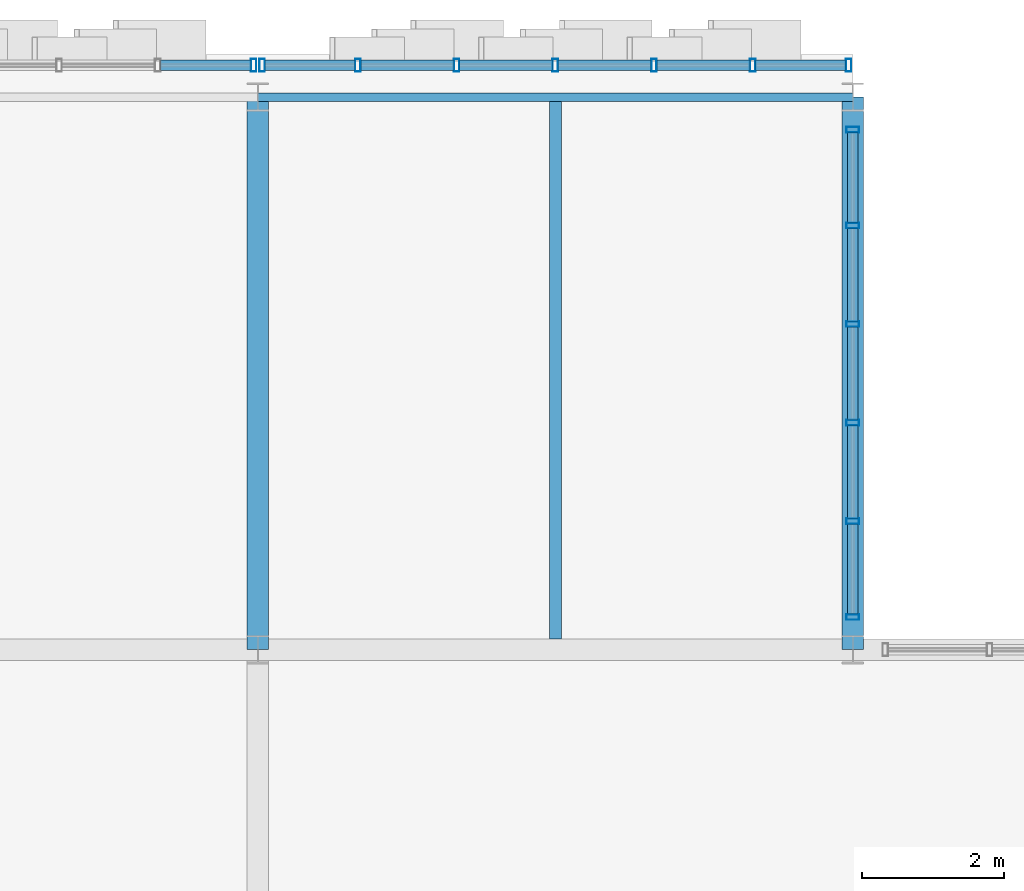
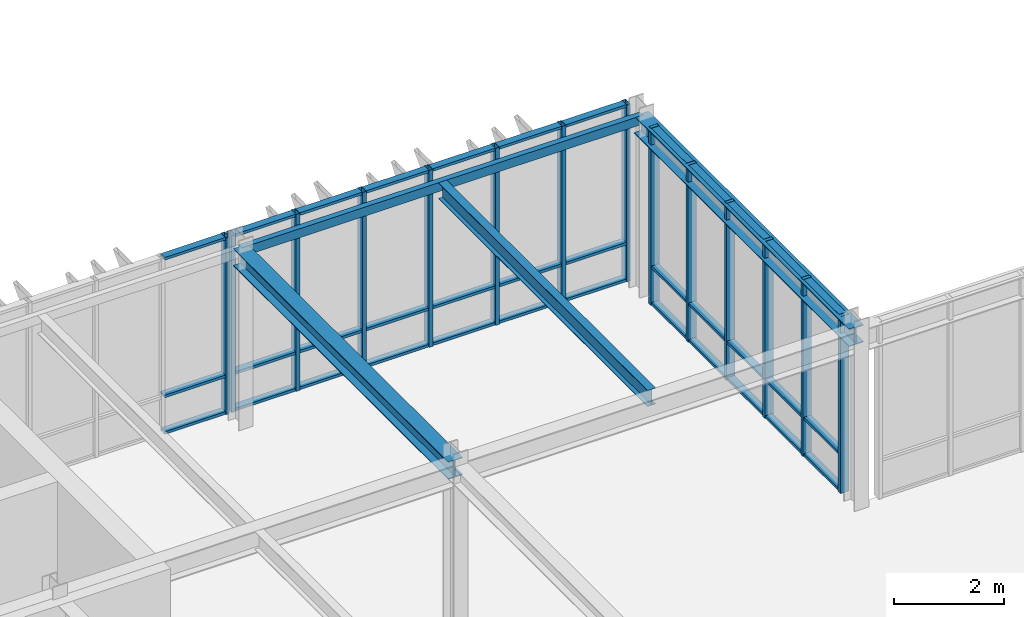
# One storey, part 47 of 127: 50 members, 4 beams, 3 elements without a shape of their own.
"""IFC4 building model written with IfcOpenShell, lengths in metres."""

import ifcopenshell
import ifcopenshell.guid

model = None  # the IFC model being written
_history = None  # IfcOwnerHistory: only IFC2X3 demands one
_inside = {}  # id of a spatial element -> (the spatial element, [elements in it])
_under = {}  # id of a project, library or spatial element -> (it, [spatial elements below it])
_declared = {}  # id of a project -> (the project, [libraries it declares])
_typed = {}  # id of a type object -> (the type object, [elements of that type])
_made_of = {}  # id of a material, layer set ... -> (it, [elements and type objects made of it])


def new_model(schema):
    """Start an empty IFC model of exactly this schema.

    Asked for "IFC4X3", IfcOpenShell would pick the latest addendum, in which some entities
    have other attributes; the version numbers below select the first issue.
    IFC2X3 requires an IfcOwnerHistory on every rooted entity: one is made here for all.
    """
    global model, _history
    if schema == "IFC4X3":
        model = ifcopenshell.file(schema_version=(4, 3, 0, 0))
    else:
        model = ifcopenshell.file(schema=schema)
    _inside.clear()
    _under.clear()
    _declared.clear()
    _typed.clear()
    _made_of.clear()
    _history = None
    if model.schema == "IFC2X3":
        org = make("IfcOrganization", Name="unknown")
        user = make(
            "IfcPersonAndOrganization",
            ThePerson=make("IfcPerson", FamilyName="unknown"),
            TheOrganization=org,
        )
        app = make(
            "IfcApplication",
            ApplicationDeveloper=org,
            Version="unknown",
            ApplicationFullName="unknown",
            ApplicationIdentifier="unknown",
        )
        _history = make(
            "IfcOwnerHistory",
            OwningUser=user,
            OwningApplication=app,
            ChangeAction="ADDED",
            CreationDate=0,
        )
    return model


def make(cls, **values):
    """One entity of the class cls with the attributes given. An attribute that is None is left unset."""
    return model.create_entity(
        cls, **{name: value for name, value in values.items() if value is not None}
    )


def rooted(cls, **values):
    """An entity with a GlobalId (a new one), such as an element, a storey or a relation."""
    return make(cls, GlobalId=ifcopenshell.guid.new(), OwnerHistory=_history, **values)


def si_unit(unit_type, name, prefix=None):
    """IfcSIUnit, for example si_unit("LENGTHUNIT", "METRE", prefix="MILLI")."""
    return make("IfcSIUnit", UnitType=unit_type, Prefix=prefix, Name=name)


def assignment(units):
    """IfcUnitAssignment: the units of a project."""
    return None if units is None else make("IfcUnitAssignment", Units=units)


def point(xyz):
    """IfcCartesianPoint."""
    return None if xyz is None else make("IfcCartesianPoint", Coordinates=xyz)


def direction(xyz):
    """IfcDirection."""
    return None if xyz is None else make("IfcDirection", DirectionRatios=xyz)


def frame(location, z_axis=None, x_axis=None):
    """IfcAxis2Placement3D, a coordinate frame: its origin and axes. An axis left out is left unset."""
    return make(
        "IfcAxis2Placement3D",
        Location=point(location),
        Axis=direction(z_axis),
        RefDirection=direction(x_axis),
    )


def frame_2d(location, x_axis=None):
    """IfcAxis2Placement2D, a coordinate frame in the plane: its origin and x axis."""
    return make(
        "IfcAxis2Placement2D", Location=point(location), RefDirection=direction(x_axis)
    )


def origin():
    """The frame at (0, 0, 0) with its axes left unset."""
    return frame((0.0, 0.0, 0.0))


def origin_2d():
    """The frame at (0, 0) in the plane with its x axis left unset."""
    return frame_2d((0.0, 0.0))


def place(relative_to, where):
    """IfcLocalPlacement: puts the frame where relative to a parent placement (None: the world)."""
    return make(
        "IfcLocalPlacement", PlacementRelTo=relative_to, RelativePlacement=where
    )


def context(
    kind, dimensions, precision=None, world=None, true_north=None, identifier=None
):
    """IfcGeometricRepresentationContext, for example the 3D "Model" context."""
    return make(
        "IfcGeometricRepresentationContext",
        ContextIdentifier=identifier,
        ContextType=kind,
        CoordinateSpaceDimension=dimensions,
        Precision=precision,
        WorldCoordinateSystem=world,
        TrueNorth=true_north,
    )


def subcontext(parent, identifier, kind, view, scale=None):
    """IfcGeometricRepresentationSubContext, for example "Body" below "Model"."""
    return make(
        "IfcGeometricRepresentationSubContext",
        ContextIdentifier=identifier,
        ContextType=kind,
        ParentContext=parent,
        TargetScale=scale,
        TargetView=view,
    )


def project(units=None, contexts=None):
    """IfcProject with its units and contexts."""
    return rooted(
        "IfcProject",
        Name="project",
        RepresentationContexts=contexts,
        UnitsInContext=assignment(units),
    )


def spatial(cls, under=None, at=None, **own):
    """A site, building, storey or space (cls), placed at a placement, below another one or the project."""
    s = rooted(cls, ObjectPlacement=at, **own)
    if under is not None:
        _under.setdefault(under.id(), (under, []))[1].append(s)
    return s


def profile(cls, at=None, kind="AREA", **sizes):
    """A parametric profile (cls). Its sizes go by their IFC names, for example OverallWidth=200.0."""
    return make(cls, ProfileType=kind, Position=at, **sizes)


def hollow_rectangle(**sizes):
    """IfcRectangleHollowProfileDef."""
    return profile("IfcRectangleHollowProfileDef", **sizes)


def i_section(**sizes):
    """IfcIShapeProfileDef."""
    return profile("IfcIShapeProfileDef", **sizes)


def extrude(swept, where, along, depth):
    """IfcExtrudedAreaSolid: the profile swept, set in the frame where, extruded along a direction by depth."""
    return make(
        "IfcExtrudedAreaSolid",
        SweptArea=swept,
        Position=where,
        ExtrudedDirection=direction(along),
        Depth=depth,
    )


def shape(context_of_items, identifier, shape_type, items):
    """IfcShapeRepresentation: the items that make up one representation, for example the "Body"."""
    return make(
        "IfcShapeRepresentation",
        ContextOfItems=context_of_items,
        RepresentationIdentifier=identifier,
        RepresentationType=shape_type,
        Items=items,
    )


def material(Name=None, Category=None):
    """IfcMaterial."""
    return make("IfcMaterial", Name=Name, Category=Category)


def layer(
    of_material, thickness, ventilated=None, Name=None, Category=None, Priority=None
):
    """IfcMaterialLayer: one layer of a wall or slab, of a material (None: an air gap)."""
    return make(
        "IfcMaterialLayer",
        Material=of_material,
        LayerThickness=thickness,
        IsVentilated=ventilated,
        Name=Name,
        Category=Category,
        Priority=Priority,
    )


def layer_set(layers, Name=None):
    """IfcMaterialLayerSet."""
    return make("IfcMaterialLayerSet", MaterialLayers=layers, LayerSetName=Name)


def material_profile(
    of_material, cross_section, Name=None, Category=None, Priority=None
):
    """IfcMaterialProfile: a cross section and its material."""
    return make(
        "IfcMaterialProfile",
        Name=Name,
        Material=of_material,
        Profile=cross_section,
        Priority=Priority,
        Category=Category,
    )


def profile_set(profiles, Name=None, composite=None):
    """IfcMaterialProfileSet."""
    return make(
        "IfcMaterialProfileSet",
        Name=Name,
        MaterialProfiles=profiles,
        CompositeProfile=composite,
    )


def made_of(thing, what):
    """Note that an element or type object is made of a material, layer set ...; save() writes the relation."""
    if what is not None:
        _made_of.setdefault(what.id(), (what, []))[1].append(thing)
    return thing


def type_object(cls, material=None, **own):
    """A type object (cls), such as IfcWallType, which elements share."""
    return made_of(rooted(cls, **own), material)


def element(
    cls,
    number,
    at=None,
    inside=None,
    cuts=None,
    type_object=None,
    material=None,
    context=None,
    identifier="Body",
    shape_type=None,
    held_by="IfcProductDefinitionShape",
    body=None,
    shapes=None,
    **own,
):
    """One element of the class cls, such as IfcWall. Its Tag is "e" and its number.

    at: its placement. inside: the storey or other place that contains it. cuts: it is an
    opening in that element (IfcRelVoidsElement). A single representation is given by context,
    identifier, shape_type and body (its items); several are given by shapes. held_by: the class
    of the entity that holds the representations. save() writes the other relations.
    """
    e = rooted(cls, Tag="e%d" % number, ObjectPlacement=at, **own)
    if body is not None:
        shapes = [shape(context, identifier, shape_type, body)]
    if shapes is not None:
        e.Representation = make(held_by, Representations=shapes)
    if inside is not None:
        _inside.setdefault(inside.id(), (inside, []))[1].append(e)
    if cuts is not None:
        rooted(
            "IfcRelVoidsElement", RelatingBuildingElement=cuts, RelatedOpeningElement=e
        )
    if type_object is not None:
        _typed.setdefault(type_object.id(), (type_object, []))[1].append(e)
    return made_of(e, material)


def aggregate(whole, parts):
    """IfcRelAggregates: a whole, such as a stair, and the parts it consists of."""
    return rooted("IfcRelAggregates", RelatingObject=whole, RelatedObjects=parts)


def save(model, path):
    """Write the relations noted so far, then the file.

    IfcRelAggregates (storeys below a building ...), IfcRelContainedInSpatialStructure (elements
    in a storey), IfcRelDefinesByType, IfcRelAssociatesMaterial and IfcRelDeclares: one each for
    every whole, place, type object, material and project.
    """
    for whole, parts in _under.values():
        aggregate(whole, parts)
    for where, things in _inside.values():
        rooted(
            "IfcRelContainedInSpatialStructure",
            RelatedElements=things,
            RelatingStructure=where,
        )
    for kind, things in _typed.values():
        rooted("IfcRelDefinesByType", RelatedObjects=things, RelatingType=kind)
    for what, things in _made_of.values():
        rooted("IfcRelAssociatesMaterial", RelatedObjects=things, RelatingMaterial=what)
    for by, libraries in _declared.values():
        rooted("IfcRelDeclares", RelatingContext=by, RelatedDefinitions=libraries)
    model.write(path)


model = new_model("IFC4")

# Units and contexts
model_context = context("Model", 3, precision=1e-05, world=origin(), true_north=direction((0.0, 1.0)))
body_context = subcontext(model_context, "Body", "Model", "MODEL_VIEW")
ifc_project = project(units=[si_unit("LENGTHUNIT", "METRE"), si_unit("AREAUNIT", "SQUARE_METRE"), si_unit("VOLUMEUNIT", "CUBIC_METRE"), si_unit("PLANEANGLEUNIT", "RADIAN"), si_unit("MASSUNIT", "GRAM", prefix="KILO")], contexts=[model_context])

# Site, building, storey
site_placement = place(None, origin())
site = spatial("IfcSite", under=ifc_project, at=site_placement, CompositionType="ELEMENT")
building_placement = place(site_placement, origin())
building = spatial("IfcBuilding", under=site, at=building_placement, Name="Zayran Congress Hotel", CompositionType="ELEMENT")
storey_placement = place(building_placement, frame((0.0, 0.0, 10.800048828125)))
storey = spatial("IfcBuildingStorey", under=building, at=storey_placement, Name="L02", CompositionType="ELEMENT", Elevation=10.800048828125)

# Beams
ifc_material_1 = material(Name="Steel S355", Category="steel")
ifc_material_profile_1 = material_profile(ifc_material_1, i_section(OverallWidth=0.300048828125, OverallDepth=0.389892578125, WebThickness=0.010986328125, FlangeThickness=0.01904296875, at=origin_2d()), Name="HEA 400")
ifc_profile_set_1 = profile_set([ifc_material_profile_1], Name="Steel S355")
beam_type_1 = type_object("IfcBeamType", Name="TP-BM-06", PredefinedType="BEAM", material=ifc_profile_set_1)
for number, where, z_axis, x_axis, name in (
    (1, (25.199951171875, 109.60009765625, 3.724853515625), (0.0, 1.0, 0.0), (-1.0, 0.0, 0.0), "BM-V1-L02-0725"),
    (2, (33.60009765625, 109.60009765625, 3.724853515625), (0.0, 1.0, 0.0), (-1.0, 0.0, 0.0), "BM-V1-L02-0728"),
):
    element("IfcBeam", number, at=place(storey_placement, frame(where, z_axis=z_axis, x_axis=x_axis)), inside=storey, type_object=beam_type_1, Name=name, PredefinedType="BEAM", context=body_context, shape_type="SweptSolid", body=[
        extrude(i_section(OverallWidth=0.300048828125, OverallDepth=0.389892578125, WebThickness=0.010986328125, FlangeThickness=0.01904296875, at=origin_2d()), origin(), (0.0, 0.0, 1.0), 7.7998046875),
    ])
ifc_material_profile_2 = material_profile(ifc_material_1, i_section(OverallWidth=0.169921875, OverallDepth=0.360107421875, WebThickness=0.008056640625, FlangeThickness=0.0126953125, at=origin_2d()), Name="IPE 360")
ifc_profile_set_2 = profile_set([ifc_material_profile_2], Name="Steel S355")
beam_type_2 = type_object("IfcBeamType", Name="TP-JS-04", PredefinedType="JOIST", material=ifc_profile_set_2)
beam_1_placement = place(storey_placement, frame((29.39990234375, 109.75, 3.739990234375), z_axis=(0.0, 1.0, 0.0), x_axis=(-1.0, 0.0, 0.0)))
element("IfcBeam", 3, at=beam_1_placement, inside=storey, type_object=beam_type_2, Name="JST-V1-L02-0767", PredefinedType="JOIST", context=body_context, shape_type="SweptSolid", body=[
    extrude(i_section(OverallWidth=0.169921875, OverallDepth=0.360107421875, WebThickness=0.008056640625, FlangeThickness=0.0126953125, at=origin_2d()), origin(), (0.0, 0.0, 1.0), 7.590087890625),
])
ifc_material_profile_3 = material_profile(ifc_material_1, hollow_rectangle(XDim=0.1201171875, YDim=0.199951171875, WallThickness=0.008056640625, at=origin_2d()), Name="RHS 200x120x8")
ifc_profile_set_3 = profile_set([ifc_material_profile_3], Name="Steel S355")
beam_type_3 = type_object("IfcBeamType", Name="TP-SP-02", PredefinedType="SPANDREL", material=ifc_profile_set_3)
beam_2_placement = place(storey_placement, frame((25.199951171875, 117.39990234375, 3.820068359375), z_axis=(1.0, 0.0, 0.0), x_axis=(0.0, 1.0, 0.0)))
element("IfcBeam", 4, at=beam_2_placement, inside=storey, type_object=beam_type_3, Name="BM-V1-L02-0702", PredefinedType="SPANDREL", context=body_context, shape_type="SweptSolid", body=[
    extrude(hollow_rectangle(XDim=0.1201171875, YDim=0.199951171875, WallThickness=0.008056640625, at=origin_2d()), origin(), (0.0, 0.0, 1.0), 8.400146484375),
])

# Curtain wall, member
ifc_material_2 = material(Name="Anodised aluminium and low-E insulated glass", Category="aluminium")
ifc_layer_1 = layer(ifc_material_2, 0.179931640625)
ifc_layer_set_1 = layer_set([ifc_layer_1], Name="Anodised aluminium and low-E insulated glass")
curtain_wall_type_1 = type_object("IfcCurtainWallType", Name="CW-V1N-L02-CW-22-8360-3920", PredefinedType="USERDEFINED", material=ifc_layer_set_1)
curtain_wall_1_placement = place(storey_placement, origin())
curtain_wall_1 = element("IfcCurtainWall", 5, at=curtain_wall_1_placement, inside=storey, type_object=curtain_wall_type_1, Name="CW-V1N-L02-1", ObjectType="CURTAIN WALL", PredefinedType="USERDEFINED")
ifc_material_3 = material(Name="Anodised aluminium framing", Category="aluminium")
ifc_material_profile_4 = material_profile(ifc_material_3, hollow_rectangle(XDim=0.080078125, YDim=0.179931640625, WallThickness=0.0048828125, at=origin_2d()), Name="RHS 180x80x5")
ifc_profile_set_4 = profile_set([ifc_material_profile_4], Name="Anodised aluminium framing")
member_type_1 = type_object("IfcMemberType", Name="TP-CWM-01", PredefinedType="MULLION", material=ifc_profile_set_4)
member_1_placement = place(storey_placement, frame((25.139892578125, 117.85009765625, 0.0), z_axis=(0.0, 0.0, 1.0), x_axis=(1.0, 0.0, 0.0)))
member_1 = element("IfcMember", 6, at=member_1_placement, type_object=member_type_1, Name="CW-V1N-L02-1-M00", PredefinedType="MULLION", context=body_context, shape_type="SweptSolid", body=[
    extrude(hollow_rectangle(XDim=0.080078125, YDim=0.179931640625, WallThickness=0.0048828125, at=origin_2d()), origin(), (0.0, 0.0, 1.0), 3.919921875),
])

# Curtain wall, members
ifc_layer_2 = layer(ifc_material_2, 0.179931640625)
ifc_layer_set_2 = layer_set([ifc_layer_2], Name="Anodised aluminium and low-E insulated glass")
curtain_wall_type_2 = type_object("IfcCurtainWallType", Name="CW-V1N-L02-CW-23-8360-3920", PredefinedType="USERDEFINED", material=ifc_layer_set_2)
curtain_wall_2_placement = place(storey_placement, origin())
curtain_wall_2 = element("IfcCurtainWall", 7, at=curtain_wall_2_placement, inside=storey, type_object=curtain_wall_type_2, Name="CW-V1N-L02-2", ObjectType="CURTAIN WALL", PredefinedType="USERDEFINED")
member_2_placement = place(storey_placement, frame((33.5400390625, 117.85009765625, 0.0), z_axis=(0.0, 0.0, 1.0), x_axis=(1.0, 0.0, 0.0)))
member_2 = element("IfcMember", 8, at=member_2_placement, type_object=member_type_1, Name="CW-V1N-L02-2-M00", PredefinedType="MULLION", context=body_context, shape_type="SweptSolid", body=[
    extrude(hollow_rectangle(XDim=0.080078125, YDim=0.179931640625, WallThickness=0.0048828125, at=origin_2d()), origin(), (0.0, 0.0, 1.0), 3.919921875),
])
member_3_placement = place(storey_placement, frame((32.186767578125, 117.85009765625, 0.0), z_axis=(0.0, 0.0, 1.0), x_axis=(1.0, 0.0, 0.0)))
member_3 = element("IfcMember", 9, at=member_3_placement, type_object=member_type_1, Name="CW-V1N-L02-2-M01", PredefinedType="MULLION", context=body_context, shape_type="SweptSolid", body=[
    extrude(hollow_rectangle(XDim=0.080078125, YDim=0.179931640625, WallThickness=0.0048828125, at=origin_2d()), origin(), (0.0, 0.0, 1.0), 3.919921875),
])
member_4_placement = place(storey_placement, frame((30.793212890625, 117.85009765625, 0.0), z_axis=(0.0, 0.0, 1.0), x_axis=(1.0, 0.0, 0.0)))
member_4 = element("IfcMember", 10, at=member_4_placement, type_object=member_type_1, Name="CW-V1N-L02-2-M02", PredefinedType="MULLION", context=body_context, shape_type="SweptSolid", body=[
    extrude(hollow_rectangle(XDim=0.080078125, YDim=0.179931640625, WallThickness=0.0048828125, at=origin_2d()), origin(), (0.0, 0.0, 1.0), 3.919921875),
])
member_5_placement = place(storey_placement, frame((29.39990234375, 117.85009765625, 0.0), z_axis=(0.0, 0.0, 1.0), x_axis=(1.0, 0.0, 0.0)))
member_5 = element("IfcMember", 11, at=member_5_placement, type_object=member_type_1, Name="CW-V1N-L02-2-M03", PredefinedType="MULLION", context=body_context, shape_type="SweptSolid", body=[
    extrude(hollow_rectangle(XDim=0.080078125, YDim=0.179931640625, WallThickness=0.0048828125, at=origin_2d()), origin(), (0.0, 0.0, 1.0), 3.919921875),
])
member_6_placement = place(storey_placement, frame((28.006591796875, 117.85009765625, 0.0), z_axis=(0.0, 0.0, 1.0), x_axis=(1.0, 0.0, 0.0)))
member_6 = element("IfcMember", 12, at=member_6_placement, type_object=member_type_1, Name="CW-V1N-L02-2-M04", PredefinedType="MULLION", context=body_context, shape_type="SweptSolid", body=[
    extrude(hollow_rectangle(XDim=0.080078125, YDim=0.179931640625, WallThickness=0.0048828125, at=origin_2d()), origin(), (0.0, 0.0, 1.0), 3.919921875),
])
member_7_placement = place(storey_placement, frame((26.61328125, 117.85009765625, 0.0), z_axis=(0.0, 0.0, 1.0), x_axis=(1.0, 0.0, 0.0)))
member_7 = element("IfcMember", 13, at=member_7_placement, type_object=member_type_1, Name="CW-V1N-L02-2-M05", PredefinedType="MULLION", context=body_context, shape_type="SweptSolid", body=[
    extrude(hollow_rectangle(XDim=0.080078125, YDim=0.179931640625, WallThickness=0.0048828125, at=origin_2d()), origin(), (0.0, 0.0, 1.0), 3.919921875),
])
member_8_placement = place(storey_placement, frame((25.260009765625, 117.85009765625, 0.0), z_axis=(0.0, 0.0, 1.0), x_axis=(1.0, 0.0, 0.0)))
member_8 = element("IfcMember", 14, at=member_8_placement, type_object=member_type_1, Name="CW-V1N-L02-2-M06", PredefinedType="MULLION", context=body_context, shape_type="SweptSolid", body=[
    extrude(hollow_rectangle(XDim=0.080078125, YDim=0.179931640625, WallThickness=0.0048828125, at=origin_2d()), origin(), (0.0, 0.0, 1.0), 3.919921875),
])

ifc_layer_3 = layer(ifc_material_2, 0.179931640625)
ifc_layer_set_3 = layer_set([ifc_layer_3], Name="Anodised aluminium and low-E insulated glass")
curtain_wall_type_3 = type_object("IfcCurtainWallType", Name="CW-V1NW-L02-CW-24-6960-3920", PredefinedType="USERDEFINED", material=ifc_layer_set_3)
curtain_wall_3_placement = place(storey_placement, origin())
curtain_wall_3 = element("IfcCurtainWall", 15, at=curtain_wall_3_placement, inside=storey, type_object=curtain_wall_type_3, Name="CW-V1NW-L02", ObjectType="CURTAIN WALL", PredefinedType="USERDEFINED")
member_9_placement = place(storey_placement, frame((33.60009765625, 110.06005859375, 0.0), z_axis=(0.0, 0.0, 1.0), x_axis=(0.0, 1.0, 0.0)))
member_9 = element("IfcMember", 16, at=member_9_placement, type_object=member_type_1, Name="CW-V1NW-L02-M00", PredefinedType="MULLION", context=body_context, shape_type="SweptSolid", body=[
    extrude(hollow_rectangle(XDim=0.080078125, YDim=0.179931640625, WallThickness=0.0048828125, at=origin_2d()), origin(), (0.0, 0.0, 1.0), 3.919921875),
])
member_10_placement = place(storey_placement, frame((33.60009765625, 111.412109375, 0.0), z_axis=(0.0, 0.0, 1.0), x_axis=(0.0, 1.0, 0.0)))
member_10 = element("IfcMember", 17, at=member_10_placement, type_object=member_type_1, Name="CW-V1NW-L02-M01", PredefinedType="MULLION", context=body_context, shape_type="SweptSolid", body=[
    extrude(hollow_rectangle(XDim=0.080078125, YDim=0.179931640625, WallThickness=0.0048828125, at=origin_2d()), origin(), (0.0, 0.0, 1.0), 3.919921875),
])
member_11_placement = place(storey_placement, frame((33.60009765625, 112.803955078125, 0.0), z_axis=(0.0, 0.0, 1.0), x_axis=(0.0, 1.0, 0.0)))
member_11 = element("IfcMember", 18, at=member_11_placement, type_object=member_type_1, Name="CW-V1NW-L02-M02", PredefinedType="MULLION", context=body_context, shape_type="SweptSolid", body=[
    extrude(hollow_rectangle(XDim=0.080078125, YDim=0.179931640625, WallThickness=0.0048828125, at=origin_2d()), origin(), (0.0, 0.0, 1.0), 3.919921875),
])
member_12_placement = place(storey_placement, frame((33.60009765625, 114.196044921875, 0.0), z_axis=(0.0, 0.0, 1.0), x_axis=(0.0, 1.0, 0.0)))
member_12 = element("IfcMember", 19, at=member_12_placement, type_object=member_type_1, Name="CW-V1NW-L02-M03", PredefinedType="MULLION", context=body_context, shape_type="SweptSolid", body=[
    extrude(hollow_rectangle(XDim=0.080078125, YDim=0.179931640625, WallThickness=0.0048828125, at=origin_2d()), origin(), (0.0, 0.0, 1.0), 3.919921875),
])
member_13_placement = place(storey_placement, frame((33.60009765625, 115.587890625, 0.0), z_axis=(0.0, 0.0, 1.0), x_axis=(0.0, 1.0, 0.0)))
member_13 = element("IfcMember", 20, at=member_13_placement, type_object=member_type_1, Name="CW-V1NW-L02-M04", PredefinedType="MULLION", context=body_context, shape_type="SweptSolid", body=[
    extrude(hollow_rectangle(XDim=0.080078125, YDim=0.179931640625, WallThickness=0.0048828125, at=origin_2d()), origin(), (0.0, 0.0, 1.0), 3.919921875),
])
member_14_placement = place(storey_placement, frame((33.60009765625, 116.93994140625, 0.0), z_axis=(0.0, 0.0, 1.0), x_axis=(0.0, 1.0, 0.0)))
member_14 = element("IfcMember", 21, at=member_14_placement, type_object=member_type_1, Name="CW-V1NW-L02-M05", PredefinedType="MULLION", context=body_context, shape_type="SweptSolid", body=[
    extrude(hollow_rectangle(XDim=0.080078125, YDim=0.179931640625, WallThickness=0.0048828125, at=origin_2d()), origin(), (0.0, 0.0, 1.0), 3.919921875),
])

# Member
ifc_material_profile_5 = material_profile(ifc_material_3, hollow_rectangle(XDim=0.06005859375, YDim=0.14990234375, WallThickness=0.00390625, at=origin_2d()), Name="RHS 150x60x4")
ifc_profile_set_5 = profile_set([ifc_material_profile_5], Name="Anodised aluminium framing")
member_type_2 = type_object("IfcMemberType", Name="TP-CWT-01", PredefinedType="USERDEFINED", material=ifc_profile_set_5)
member_15_placement = place(storey_placement, frame((25.10009765625, 117.85009765625, 0.030029296875), z_axis=(-1.0, 0.0, 0.0), x_axis=(0.0, 0.0, 1.0)))
member_15 = element("IfcMember", 22, at=member_15_placement, type_object=member_type_2, Name="CW-V1N-L02-1-T00-0", ObjectType="TRANSOM", PredefinedType="USERDEFINED", context=body_context, shape_type="SweptSolid", body=[
    extrude(hollow_rectangle(XDim=0.06005859375, YDim=0.14990234375, WallThickness=0.00390625, at=origin_2d()), origin(), (0.0, 0.0, 1.0), 1.2734375),
])

member_16_placement = place(storey_placement, frame((25.10009765625, 117.85009765625, 0.83984375), z_axis=(-1.0, 0.0, 0.0), x_axis=(0.0, 0.0, 1.0)))
member_16 = element("IfcMember", 23, at=member_16_placement, type_object=member_type_2, Name="CW-V1N-L02-1-T00-1", ObjectType="TRANSOM", PredefinedType="USERDEFINED", context=body_context, shape_type="SweptSolid", body=[
    extrude(hollow_rectangle(XDim=0.06005859375, YDim=0.14990234375, WallThickness=0.00390625, at=origin_2d()), origin(), (0.0, 0.0, 1.0), 1.2734375),
])

member_17_placement = place(storey_placement, frame((25.10009765625, 117.85009765625, 3.889892578125), z_axis=(-1.0, 0.0, 0.0), x_axis=(0.0, 0.0, 1.0)))
member_17 = element("IfcMember", 24, at=member_17_placement, type_object=member_type_2, Name="CW-V1N-L02-1-T00-2", ObjectType="TRANSOM", PredefinedType="USERDEFINED", context=body_context, shape_type="SweptSolid", body=[
    extrude(hollow_rectangle(XDim=0.06005859375, YDim=0.14990234375, WallThickness=0.00390625, at=origin_2d()), origin(), (0.0, 0.0, 1.0), 1.2734375),
])

aggregate(curtain_wall_1, [member_1, member_15, member_16, member_17])

member_18_placement = place(storey_placement, frame((33.5, 117.85009765625, 0.030029296875), z_axis=(-1.0, 0.0, 0.0), x_axis=(0.0, 0.0, 1.0)))
member_18 = element("IfcMember", 25, at=member_18_placement, type_object=member_type_2, Name="CW-V1N-L02-2-T00-0", ObjectType="TRANSOM", PredefinedType="USERDEFINED", context=body_context, shape_type="SweptSolid", body=[
    extrude(hollow_rectangle(XDim=0.06005859375, YDim=0.14990234375, WallThickness=0.00390625, at=origin_2d()), origin(), (0.0, 0.0, 1.0), 1.273193359375),
])

member_19_placement = place(storey_placement, frame((33.5, 117.85009765625, 0.83984375), z_axis=(-1.0, 0.0, 0.0), x_axis=(0.0, 0.0, 1.0)))
member_19 = element("IfcMember", 26, at=member_19_placement, type_object=member_type_2, Name="CW-V1N-L02-2-T00-1", ObjectType="TRANSOM", PredefinedType="USERDEFINED", context=body_context, shape_type="SweptSolid", body=[
    extrude(hollow_rectangle(XDim=0.06005859375, YDim=0.14990234375, WallThickness=0.00390625, at=origin_2d()), origin(), (0.0, 0.0, 1.0), 1.273193359375),
])

member_20_placement = place(storey_placement, frame((33.5, 117.85009765625, 3.889892578125), z_axis=(-1.0, 0.0, 0.0), x_axis=(0.0, 0.0, 1.0)))
member_20 = element("IfcMember", 27, at=member_20_placement, type_object=member_type_2, Name="CW-V1N-L02-2-T00-2", ObjectType="TRANSOM", PredefinedType="USERDEFINED", context=body_context, shape_type="SweptSolid", body=[
    extrude(hollow_rectangle(XDim=0.06005859375, YDim=0.14990234375, WallThickness=0.00390625, at=origin_2d()), origin(), (0.0, 0.0, 1.0), 1.273193359375),
])

member_21_placement = place(storey_placement, frame((32.146728515625, 117.85009765625, 0.030029296875), z_axis=(-1.0, 0.0, 0.0), x_axis=(0.0, 0.0, 1.0)))
member_21 = element("IfcMember", 28, at=member_21_placement, type_object=member_type_2, Name="CW-V1N-L02-2-T01-0", ObjectType="TRANSOM", PredefinedType="USERDEFINED", context=body_context, shape_type="SweptSolid", body=[
    extrude(hollow_rectangle(XDim=0.06005859375, YDim=0.14990234375, WallThickness=0.00390625, at=origin_2d()), origin(), (0.0, 0.0, 1.0), 1.3134765625),
])

member_22_placement = place(storey_placement, frame((32.146728515625, 117.85009765625, 0.83984375), z_axis=(-1.0, 0.0, 0.0), x_axis=(0.0, 0.0, 1.0)))
member_22 = element("IfcMember", 29, at=member_22_placement, type_object=member_type_2, Name="CW-V1N-L02-2-T01-1", ObjectType="TRANSOM", PredefinedType="USERDEFINED", context=body_context, shape_type="SweptSolid", body=[
    extrude(hollow_rectangle(XDim=0.06005859375, YDim=0.14990234375, WallThickness=0.00390625, at=origin_2d()), origin(), (0.0, 0.0, 1.0), 1.3134765625),
])

member_23_placement = place(storey_placement, frame((32.146728515625, 117.85009765625, 3.889892578125), z_axis=(-1.0, 0.0, 0.0), x_axis=(0.0, 0.0, 1.0)))
member_23 = element("IfcMember", 30, at=member_23_placement, type_object=member_type_2, Name="CW-V1N-L02-2-T01-2", ObjectType="TRANSOM", PredefinedType="USERDEFINED", context=body_context, shape_type="SweptSolid", body=[
    extrude(hollow_rectangle(XDim=0.06005859375, YDim=0.14990234375, WallThickness=0.00390625, at=origin_2d()), origin(), (0.0, 0.0, 1.0), 1.3134765625),
])

member_24_placement = place(storey_placement, frame((30.75341796875, 117.85009765625, 0.030029296875), z_axis=(-1.0, 0.0, 0.0), x_axis=(0.0, 0.0, 1.0)))
member_24 = element("IfcMember", 31, at=member_24_placement, type_object=member_type_2, Name="CW-V1N-L02-2-T02-0", ObjectType="TRANSOM", PredefinedType="USERDEFINED", context=body_context, shape_type="SweptSolid", body=[
    extrude(hollow_rectangle(XDim=0.06005859375, YDim=0.14990234375, WallThickness=0.00390625, at=origin_2d()), origin(), (0.0, 0.0, 1.0), 1.3134765625),
])

member_25_placement = place(storey_placement, frame((30.75341796875, 117.85009765625, 0.83984375), z_axis=(-1.0, 0.0, 0.0), x_axis=(0.0, 0.0, 1.0)))
member_25 = element("IfcMember", 32, at=member_25_placement, type_object=member_type_2, Name="CW-V1N-L02-2-T02-1", ObjectType="TRANSOM", PredefinedType="USERDEFINED", context=body_context, shape_type="SweptSolid", body=[
    extrude(hollow_rectangle(XDim=0.06005859375, YDim=0.14990234375, WallThickness=0.00390625, at=origin_2d()), origin(), (0.0, 0.0, 1.0), 1.3134765625),
])

member_26_placement = place(storey_placement, frame((30.75341796875, 117.85009765625, 3.889892578125), z_axis=(-1.0, 0.0, 0.0), x_axis=(0.0, 0.0, 1.0)))
member_26 = element("IfcMember", 33, at=member_26_placement, type_object=member_type_2, Name="CW-V1N-L02-2-T02-2", ObjectType="TRANSOM", PredefinedType="USERDEFINED", context=body_context, shape_type="SweptSolid", body=[
    extrude(hollow_rectangle(XDim=0.06005859375, YDim=0.14990234375, WallThickness=0.00390625, at=origin_2d()), origin(), (0.0, 0.0, 1.0), 1.3134765625),
])

member_27_placement = place(storey_placement, frame((29.360107421875, 117.85009765625, 0.030029296875), z_axis=(-1.0, 0.0, 0.0), x_axis=(0.0, 0.0, 1.0)))
member_27 = element("IfcMember", 34, at=member_27_placement, type_object=member_type_2, Name="CW-V1N-L02-2-T03-0", ObjectType="TRANSOM", PredefinedType="USERDEFINED", context=body_context, shape_type="SweptSolid", body=[
    extrude(hollow_rectangle(XDim=0.06005859375, YDim=0.14990234375, WallThickness=0.00390625, at=origin_2d()), origin(), (0.0, 0.0, 1.0), 1.3134765625),
])

member_28_placement = place(storey_placement, frame((29.360107421875, 117.85009765625, 0.83984375), z_axis=(-1.0, 0.0, 0.0), x_axis=(0.0, 0.0, 1.0)))
member_28 = element("IfcMember", 35, at=member_28_placement, type_object=member_type_2, Name="CW-V1N-L02-2-T03-1", ObjectType="TRANSOM", PredefinedType="USERDEFINED", context=body_context, shape_type="SweptSolid", body=[
    extrude(hollow_rectangle(XDim=0.06005859375, YDim=0.14990234375, WallThickness=0.00390625, at=origin_2d()), origin(), (0.0, 0.0, 1.0), 1.3134765625),
])

member_29_placement = place(storey_placement, frame((29.360107421875, 117.85009765625, 3.889892578125), z_axis=(-1.0, 0.0, 0.0), x_axis=(0.0, 0.0, 1.0)))
member_29 = element("IfcMember", 36, at=member_29_placement, type_object=member_type_2, Name="CW-V1N-L02-2-T03-2", ObjectType="TRANSOM", PredefinedType="USERDEFINED", context=body_context, shape_type="SweptSolid", body=[
    extrude(hollow_rectangle(XDim=0.06005859375, YDim=0.14990234375, WallThickness=0.00390625, at=origin_2d()), origin(), (0.0, 0.0, 1.0), 1.3134765625),
])

member_30_placement = place(storey_placement, frame((27.966796875, 117.85009765625, 0.030029296875), z_axis=(-1.0, 0.0, 0.0), x_axis=(0.0, 0.0, 1.0)))
member_30 = element("IfcMember", 37, at=member_30_placement, type_object=member_type_2, Name="CW-V1N-L02-2-T04-0", ObjectType="TRANSOM", PredefinedType="USERDEFINED", context=body_context, shape_type="SweptSolid", body=[
    extrude(hollow_rectangle(XDim=0.06005859375, YDim=0.14990234375, WallThickness=0.00390625, at=origin_2d()), origin(), (0.0, 0.0, 1.0), 1.3134765625),
])

member_31_placement = place(storey_placement, frame((27.966796875, 117.85009765625, 0.83984375), z_axis=(-1.0, 0.0, 0.0), x_axis=(0.0, 0.0, 1.0)))
member_31 = element("IfcMember", 38, at=member_31_placement, type_object=member_type_2, Name="CW-V1N-L02-2-T04-1", ObjectType="TRANSOM", PredefinedType="USERDEFINED", context=body_context, shape_type="SweptSolid", body=[
    extrude(hollow_rectangle(XDim=0.06005859375, YDim=0.14990234375, WallThickness=0.00390625, at=origin_2d()), origin(), (0.0, 0.0, 1.0), 1.3134765625),
])

member_32_placement = place(storey_placement, frame((27.966796875, 117.85009765625, 3.889892578125), z_axis=(-1.0, 0.0, 0.0), x_axis=(0.0, 0.0, 1.0)))
member_32 = element("IfcMember", 39, at=member_32_placement, type_object=member_type_2, Name="CW-V1N-L02-2-T04-2", ObjectType="TRANSOM", PredefinedType="USERDEFINED", context=body_context, shape_type="SweptSolid", body=[
    extrude(hollow_rectangle(XDim=0.06005859375, YDim=0.14990234375, WallThickness=0.00390625, at=origin_2d()), origin(), (0.0, 0.0, 1.0), 1.3134765625),
])

member_33_placement = place(storey_placement, frame((26.5732421875, 117.85009765625, 0.030029296875), z_axis=(-1.0, 0.0, 0.0), x_axis=(0.0, 0.0, 1.0)))
member_33 = element("IfcMember", 40, at=member_33_placement, type_object=member_type_2, Name="CW-V1N-L02-2-T05-0", ObjectType="TRANSOM", PredefinedType="USERDEFINED", context=body_context, shape_type="SweptSolid", body=[
    extrude(hollow_rectangle(XDim=0.06005859375, YDim=0.14990234375, WallThickness=0.00390625, at=origin_2d()), origin(), (0.0, 0.0, 1.0), 1.273193359375),
])

member_34_placement = place(storey_placement, frame((26.5732421875, 117.85009765625, 0.83984375), z_axis=(-1.0, 0.0, 0.0), x_axis=(0.0, 0.0, 1.0)))
member_34 = element("IfcMember", 41, at=member_34_placement, type_object=member_type_2, Name="CW-V1N-L02-2-T05-1", ObjectType="TRANSOM", PredefinedType="USERDEFINED", context=body_context, shape_type="SweptSolid", body=[
    extrude(hollow_rectangle(XDim=0.06005859375, YDim=0.14990234375, WallThickness=0.00390625, at=origin_2d()), origin(), (0.0, 0.0, 1.0), 1.273193359375),
])

member_35_placement = place(storey_placement, frame((26.5732421875, 117.85009765625, 3.889892578125), z_axis=(-1.0, 0.0, 0.0), x_axis=(0.0, 0.0, 1.0)))
member_35 = element("IfcMember", 42, at=member_35_placement, type_object=member_type_2, Name="CW-V1N-L02-2-T05-2", ObjectType="TRANSOM", PredefinedType="USERDEFINED", context=body_context, shape_type="SweptSolid", body=[
    extrude(hollow_rectangle(XDim=0.06005859375, YDim=0.14990234375, WallThickness=0.00390625, at=origin_2d()), origin(), (0.0, 0.0, 1.0), 1.273193359375),
])

aggregate(curtain_wall_2, [member_2, member_3, member_4, member_5, member_6, member_7, member_8, member_18, member_19, member_20, member_21, member_22, member_23, member_24, member_25, member_26, member_27, member_28, member_29, member_30, member_31, member_32, member_33, member_34, member_35])

member_36_placement = place(storey_placement, frame((33.60009765625, 110.10009765625, 0.030029296875), z_axis=(0.0, 1.0, 0.0), x_axis=(0.0, 0.0, 1.0)))
member_36 = element("IfcMember", 43, at=member_36_placement, type_object=member_type_2, Name="CW-V1NW-L02-T00-0", ObjectType="TRANSOM", PredefinedType="USERDEFINED", context=body_context, shape_type="SweptSolid", body=[
    extrude(hollow_rectangle(XDim=0.06005859375, YDim=0.14990234375, WallThickness=0.00390625, at=origin_2d()), origin(), (0.0, 0.0, 1.0), 1.27197265625),
])

member_37_placement = place(storey_placement, frame((33.60009765625, 110.10009765625, 0.83984375), z_axis=(0.0, 1.0, 0.0), x_axis=(0.0, 0.0, 1.0)))
member_37 = element("IfcMember", 44, at=member_37_placement, type_object=member_type_2, Name="CW-V1NW-L02-T00-1", ObjectType="TRANSOM", PredefinedType="USERDEFINED", context=body_context, shape_type="SweptSolid", body=[
    extrude(hollow_rectangle(XDim=0.06005859375, YDim=0.14990234375, WallThickness=0.00390625, at=origin_2d()), origin(), (0.0, 0.0, 1.0), 1.27197265625),
])

member_38_placement = place(storey_placement, frame((33.60009765625, 110.10009765625, 3.889892578125), z_axis=(0.0, 1.0, 0.0), x_axis=(0.0, 0.0, 1.0)))
member_38 = element("IfcMember", 45, at=member_38_placement, type_object=member_type_2, Name="CW-V1NW-L02-T00-2", ObjectType="TRANSOM", PredefinedType="USERDEFINED", context=body_context, shape_type="SweptSolid", body=[
    extrude(hollow_rectangle(XDim=0.06005859375, YDim=0.14990234375, WallThickness=0.00390625, at=origin_2d()), origin(), (0.0, 0.0, 1.0), 1.27197265625),
])

member_39_placement = place(storey_placement, frame((33.60009765625, 111.451904296875, 0.030029296875), z_axis=(0.0, 1.0, 0.0), x_axis=(0.0, 0.0, 1.0)))
member_39 = element("IfcMember", 46, at=member_39_placement, type_object=member_type_2, Name="CW-V1NW-L02-T01-0", ObjectType="TRANSOM", PredefinedType="USERDEFINED", context=body_context, shape_type="SweptSolid", body=[
    extrude(hollow_rectangle(XDim=0.06005859375, YDim=0.14990234375, WallThickness=0.00390625, at=origin_2d()), origin(), (0.0, 0.0, 1.0), 1.31201171875),
])

member_40_placement = place(storey_placement, frame((33.60009765625, 111.451904296875, 0.83984375), z_axis=(0.0, 1.0, 0.0), x_axis=(0.0, 0.0, 1.0)))
member_40 = element("IfcMember", 47, at=member_40_placement, type_object=member_type_2, Name="CW-V1NW-L02-T01-1", ObjectType="TRANSOM", PredefinedType="USERDEFINED", context=body_context, shape_type="SweptSolid", body=[
    extrude(hollow_rectangle(XDim=0.06005859375, YDim=0.14990234375, WallThickness=0.00390625, at=origin_2d()), origin(), (0.0, 0.0, 1.0), 1.31201171875),
])

member_41_placement = place(storey_placement, frame((33.60009765625, 111.451904296875, 3.889892578125), z_axis=(0.0, 1.0, 0.0), x_axis=(0.0, 0.0, 1.0)))
member_41 = element("IfcMember", 48, at=member_41_placement, type_object=member_type_2, Name="CW-V1NW-L02-T01-2", ObjectType="TRANSOM", PredefinedType="USERDEFINED", context=body_context, shape_type="SweptSolid", body=[
    extrude(hollow_rectangle(XDim=0.06005859375, YDim=0.14990234375, WallThickness=0.00390625, at=origin_2d()), origin(), (0.0, 0.0, 1.0), 1.31201171875),
])

member_42_placement = place(storey_placement, frame((33.60009765625, 112.843994140625, 0.030029296875), z_axis=(0.0, 1.0, 0.0), x_axis=(0.0, 0.0, 1.0)))
member_42 = element("IfcMember", 49, at=member_42_placement, type_object=member_type_2, Name="CW-V1NW-L02-T02-0", ObjectType="TRANSOM", PredefinedType="USERDEFINED", context=body_context, shape_type="SweptSolid", body=[
    extrude(hollow_rectangle(XDim=0.06005859375, YDim=0.14990234375, WallThickness=0.00390625, at=origin_2d()), origin(), (0.0, 0.0, 1.0), 1.31201171875),
])

member_43_placement = place(storey_placement, frame((33.60009765625, 112.843994140625, 0.83984375), z_axis=(0.0, 1.0, 0.0), x_axis=(0.0, 0.0, 1.0)))
member_43 = element("IfcMember", 50, at=member_43_placement, type_object=member_type_2, Name="CW-V1NW-L02-T02-1", ObjectType="TRANSOM", PredefinedType="USERDEFINED", context=body_context, shape_type="SweptSolid", body=[
    extrude(hollow_rectangle(XDim=0.06005859375, YDim=0.14990234375, WallThickness=0.00390625, at=origin_2d()), origin(), (0.0, 0.0, 1.0), 1.31201171875),
])

member_44_placement = place(storey_placement, frame((33.60009765625, 112.843994140625, 3.889892578125), z_axis=(0.0, 1.0, 0.0), x_axis=(0.0, 0.0, 1.0)))
member_44 = element("IfcMember", 51, at=member_44_placement, type_object=member_type_2, Name="CW-V1NW-L02-T02-2", ObjectType="TRANSOM", PredefinedType="USERDEFINED", context=body_context, shape_type="SweptSolid", body=[
    extrude(hollow_rectangle(XDim=0.06005859375, YDim=0.14990234375, WallThickness=0.00390625, at=origin_2d()), origin(), (0.0, 0.0, 1.0), 1.31201171875),
])

member_45_placement = place(storey_placement, frame((33.60009765625, 114.236083984375, 0.030029296875), z_axis=(0.0, 1.0, 0.0), x_axis=(0.0, 0.0, 1.0)))
member_45 = element("IfcMember", 52, at=member_45_placement, type_object=member_type_2, Name="CW-V1NW-L02-T03-0", ObjectType="TRANSOM", PredefinedType="USERDEFINED", context=body_context, shape_type="SweptSolid", body=[
    extrude(hollow_rectangle(XDim=0.06005859375, YDim=0.14990234375, WallThickness=0.00390625, at=origin_2d()), origin(), (0.0, 0.0, 1.0), 1.31201171875),
])

member_46_placement = place(storey_placement, frame((33.60009765625, 114.236083984375, 0.83984375), z_axis=(0.0, 1.0, 0.0), x_axis=(0.0, 0.0, 1.0)))
member_46 = element("IfcMember", 53, at=member_46_placement, type_object=member_type_2, Name="CW-V1NW-L02-T03-1", ObjectType="TRANSOM", PredefinedType="USERDEFINED", context=body_context, shape_type="SweptSolid", body=[
    extrude(hollow_rectangle(XDim=0.06005859375, YDim=0.14990234375, WallThickness=0.00390625, at=origin_2d()), origin(), (0.0, 0.0, 1.0), 1.31201171875),
])

member_47_placement = place(storey_placement, frame((33.60009765625, 114.236083984375, 3.889892578125), z_axis=(0.0, 1.0, 0.0), x_axis=(0.0, 0.0, 1.0)))
member_47 = element("IfcMember", 54, at=member_47_placement, type_object=member_type_2, Name="CW-V1NW-L02-T03-2", ObjectType="TRANSOM", PredefinedType="USERDEFINED", context=body_context, shape_type="SweptSolid", body=[
    extrude(hollow_rectangle(XDim=0.06005859375, YDim=0.14990234375, WallThickness=0.00390625, at=origin_2d()), origin(), (0.0, 0.0, 1.0), 1.31201171875),
])

member_48_placement = place(storey_placement, frame((33.60009765625, 115.6279296875, 0.030029296875), z_axis=(0.0, 1.0, 0.0), x_axis=(0.0, 0.0, 1.0)))
member_48 = element("IfcMember", 55, at=member_48_placement, type_object=member_type_2, Name="CW-V1NW-L02-T04-0", ObjectType="TRANSOM", PredefinedType="USERDEFINED", context=body_context, shape_type="SweptSolid", body=[
    extrude(hollow_rectangle(XDim=0.06005859375, YDim=0.14990234375, WallThickness=0.00390625, at=origin_2d()), origin(), (0.0, 0.0, 1.0), 1.27197265625),
])

member_49_placement = place(storey_placement, frame((33.60009765625, 115.6279296875, 0.83984375), z_axis=(0.0, 1.0, 0.0), x_axis=(0.0, 0.0, 1.0)))
member_49 = element("IfcMember", 56, at=member_49_placement, type_object=member_type_2, Name="CW-V1NW-L02-T04-1", ObjectType="TRANSOM", PredefinedType="USERDEFINED", context=body_context, shape_type="SweptSolid", body=[
    extrude(hollow_rectangle(XDim=0.06005859375, YDim=0.14990234375, WallThickness=0.00390625, at=origin_2d()), origin(), (0.0, 0.0, 1.0), 1.27197265625),
])

member_50_placement = place(storey_placement, frame((33.60009765625, 115.6279296875, 3.889892578125), z_axis=(0.0, 1.0, 0.0), x_axis=(0.0, 0.0, 1.0)))
member_50 = element("IfcMember", 57, at=member_50_placement, type_object=member_type_2, Name="CW-V1NW-L02-T04-2", ObjectType="TRANSOM", PredefinedType="USERDEFINED", context=body_context, shape_type="SweptSolid", body=[
    extrude(hollow_rectangle(XDim=0.06005859375, YDim=0.14990234375, WallThickness=0.00390625, at=origin_2d()), origin(), (0.0, 0.0, 1.0), 1.27197265625),
])

aggregate(curtain_wall_3, [member_9, member_10, member_11, member_12, member_13, member_14, member_36, member_37, member_38, member_39, member_40, member_41, member_42, member_43, member_44, member_45, member_46, member_47, member_48, member_49, member_50])

save(model, "model.ifc")
